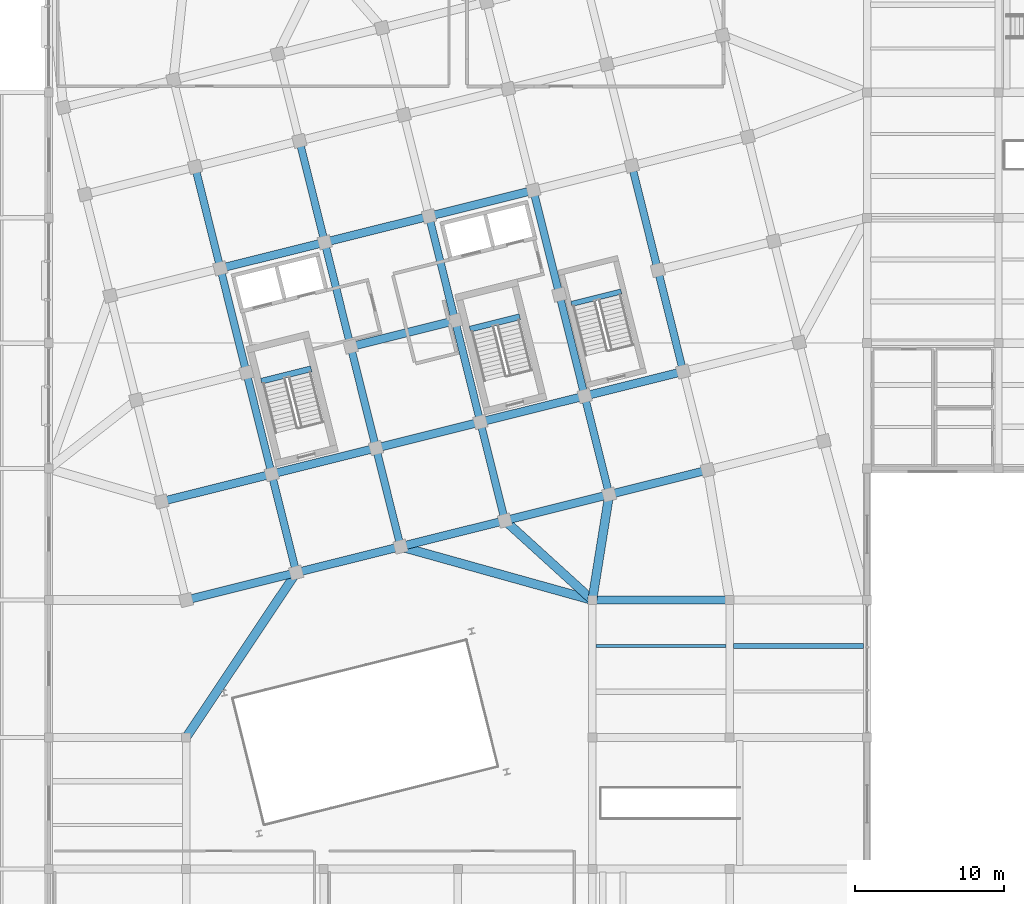
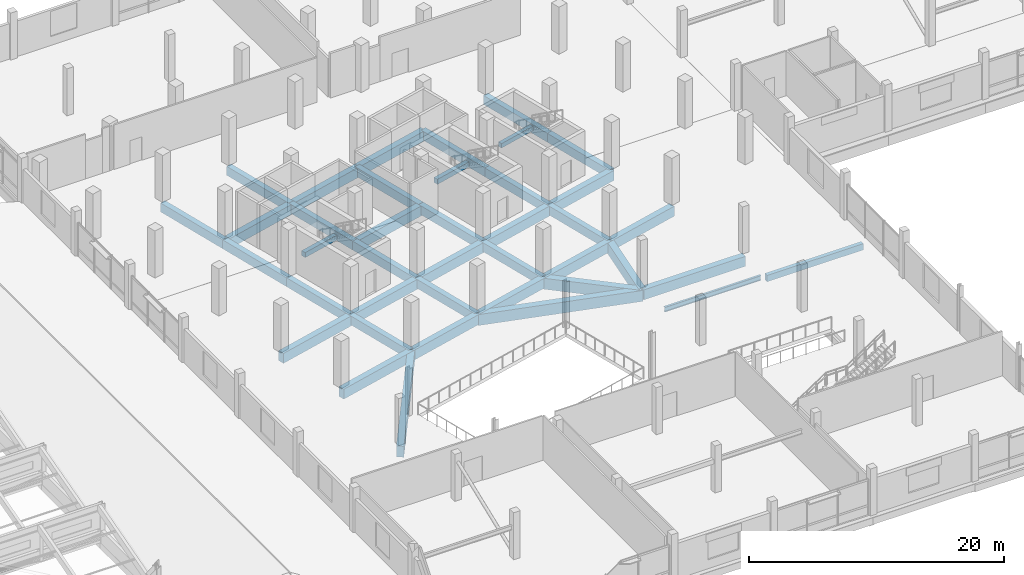
# One storey, part 33 of 77: 40 beams.
"""IFC4 building model written with IfcOpenShell, lengths in metres."""

from ifc_helpers import new_model, si_unit, direction, frame, origin, origin_2d, place, context, subcontext, project, spatial, rectangle, i_section, extrude, material, material_profile, profile_set, type_object, element, save


model = new_model("IFC4")

# Units and contexts
model_context = context("Model", 3, precision=1e-05, world=origin(), true_north=direction((0.0, 1.0)))
body_context = subcontext(model_context, "Body", "Model", "MODEL_VIEW")
ifc_project = project(units=[si_unit("LENGTHUNIT", "METRE"), si_unit("AREAUNIT", "SQUARE_METRE"), si_unit("VOLUMEUNIT", "CUBIC_METRE"), si_unit("PLANEANGLEUNIT", "RADIAN"), si_unit("MASSUNIT", "GRAM", prefix="KILO")], contexts=[model_context])

# Site, building, storey
site_placement = place(None, origin())
site = spatial("IfcSite", under=ifc_project, at=site_placement, CompositionType="ELEMENT")
building_placement = place(site_placement, origin())
building = spatial("IfcBuilding", under=site, at=building_placement, Name="Meriwether Solvik Hall", CompositionType="ELEMENT")
storey_placement = place(building_placement, frame((0.0, 0.0, 9.89990234375)))
storey = spatial("IfcBuildingStorey", under=building, at=storey_placement, Name="L02", CompositionType="ELEMENT", Elevation=9.89990234375)

# Beams
ifc_material_1 = material(Name="Concrete C40/50", Category="concrete")
ifc_material_profile_1 = material_profile(ifc_material_1, rectangle(XDim=0.35009765625, YDim=0.419921875, at=origin_2d()), Name="RCB-350X420")
ifc_profile_set_1 = profile_set([ifc_material_profile_1], Name="Concrete C40/50")
beam_type_1 = type_object("IfcBeamType", Name="BM-LND-RC-350X420", PredefinedType="BEAM", material=ifc_profile_set_1)
beam_1_placement = place(storey_placement, frame((94.39892578125, 61.0302734375, 1.840087890625), z_axis=(0.970292601873, 0.24193442655, 0.0), x_axis=(-0.24193442655, 0.970292601873, 0.0)))
element("IfcBeam", 1, at=beam_1_placement, inside=storey, type_object=beam_type_1, Name="Stair ST-03 Half-Landing Header Beam (L02)", PredefinedType="BEAM", context=body_context, shape_type="SweptSolid", body=[
    extrude(rectangle(XDim=0.35009765625, YDim=0.419921875, at=origin_2d()), origin(), (0.0, 0.0, 1.0), 3.440185546875),
])
ifc_material_2 = material(Name="Concrete C40/50", Category="concrete")
ifc_material_profile_2 = material_profile(ifc_material_2, rectangle(XDim=0.39990234375, YDim=0.47998046875, at=origin_2d()), Name="RCB-400X480")
ifc_profile_set_2 = profile_set([ifc_material_profile_2], Name="Concrete C40/50")
beam_type_2 = type_object("IfcBeamType", Name="BM-LND-RC-400X480", PredefinedType="BEAM", material=ifc_profile_set_2)
beam_2_placement = place(storey_placement, frame((73.634521484375, 55.853271484375, 1.81005859375), z_axis=(0.970292601873, 0.24193442655, 0.0), x_axis=(-0.24193442655, 0.970292601873, 0.0)))
element("IfcBeam", 2, at=beam_2_placement, inside=storey, type_object=beam_type_2, Name="Stair ST-01 Half-Landing Header Beam (L02)", PredefinedType="BEAM", context=body_context, shape_type="SweptSolid", body=[
    extrude(rectangle(XDim=0.39990234375, YDim=0.47998046875, at=origin_2d()), origin(), (0.0, 0.0, 1.0), 3.440185546875),
])
beam_3_placement = place(storey_placement, frame((87.60693359375, 59.3369140625, 1.81005859375), z_axis=(0.970288447449, 0.24195108751, 0.0), x_axis=(-0.24195108751, 0.970288447449, 0.0)))
element("IfcBeam", 3, at=beam_3_placement, inside=storey, type_object=beam_type_2, Name="Stair ST-02 Half-Landing Header Beam (L02)", PredefinedType="BEAM", context=body_context, shape_type="SweptSolid", body=[
    extrude(rectangle(XDim=0.39990234375, YDim=0.47998046875, at=origin_2d()), origin(), (0.0, 0.0, 1.0), 3.43994140625),
])
ifc_material_3 = material(Name="Concrete C40/50", Category="concrete")
ifc_material_profile_3 = material_profile(ifc_material_3, rectangle(XDim=0.35009765625, YDim=0.60009765625, at=origin_2d()), Name="RCB-350X600")
ifc_profile_set_3 = profile_set([ifc_material_profile_3], Name="Concrete C40/50")
beam_type_3 = type_object("IfcBeamType", Name="BM-RC-350X600", PredefinedType="JOIST", material=ifc_profile_set_3)
beam_4_placement = place(storey_placement, frame((105.2451171875, 38.13330078125, -0.75), z_axis=(1.0, 0.0, 0.0), x_axis=(0.0, 1.0, 0.0)))
element("IfcBeam", 4, at=beam_4_placement, inside=storey, type_object=beam_type_3, Name="Secondary Floor Joist 12/D_J2 (L02)", PredefinedType="JOIST", context=body_context, shape_type="SweptSolid", body=[
    extrude(rectangle(XDim=0.35009765625, YDim=0.60009765625, at=origin_2d()), origin(), (0.0, 0.0, 1.0), 8.7099609375),
])
ifc_material_4 = material(Name="Concrete C40/50", Category="concrete")
ifc_material_profile_4 = material_profile(ifc_material_4, rectangle(XDim=0.5, YDim=0.85009765625, at=origin_2d()), Name="RCB-500X850")
ifc_profile_set_4 = profile_set([ifc_material_profile_4], Name="Concrete C40/50")
beam_type_4 = type_object("IfcBeamType", Name="BM-RC-500X850", PredefinedType="BEAM", material=ifc_profile_set_4)
beam_5_placement = place(storey_placement, frame((75.974365234375, 43.03857421875, -0.7548828125), z_axis=(-0.241944251278, 0.970290152106, 0.0), x_axis=(-0.970290152106, -0.241944251278, 0.0)))
element("IfcBeam", 5, at=beam_5_placement, inside=storey, type_object=beam_type_4, Name="Tower Girder T2:TA-TB (L02)", PredefinedType="BEAM", context=body_context, shape_type="SweptSolid", body=[
    extrude(rectangle(XDim=0.5, YDim=0.85009765625, at=origin_2d()), origin(), (0.0, 0.0, 1.0), 6.80029296875),
])
beam_6_placement = place(storey_placement, frame((74.3291015625, 49.63671875, -0.7548828125), z_axis=(-0.241911879182, 0.970298223594, 0.0), x_axis=(-0.970298223594, -0.241911879182, 0.0)))
element("IfcBeam", 6, at=beam_6_placement, inside=storey, type_object=beam_type_4, Name="Tower Girder T2:TB-TC (L02)", PredefinedType="BEAM", context=body_context, shape_type="SweptSolid", body=[
    extrude(rectangle(XDim=0.5, YDim=0.85009765625, at=origin_2d()), origin(), (0.0, 0.0, 1.0), 7.0),
])
beam_7_placement = place(storey_placement, frame((72.6357421875, 56.4287109375, -0.7548828125), z_axis=(-0.241937193493, 0.970291911955, 0.0), x_axis=(-0.970291911955, -0.241937193493, 0.0)))
element("IfcBeam", 7, at=beam_7_placement, inside=storey, type_object=beam_type_4, Name="Tower Girder T2:TC-TD (L02)", PredefinedType="BEAM", context=body_context, shape_type="SweptSolid", body=[
    extrude(rectangle(XDim=0.5, YDim=0.85009765625, at=origin_2d()), origin(), (0.0, 0.0, 1.0), 7.199951171875),
])
beam_8_placement = place(storey_placement, frame((70.893798828125, 63.414794921875, -0.7548828125), z_axis=(-0.241911879182, 0.970298223594, 0.0), x_axis=(-0.970298223594, -0.241911879182, 0.0)))
element("IfcBeam", 8, at=beam_8_placement, inside=storey, type_object=beam_type_4, Name="Tower Girder T2:TD-TE (L02)", PredefinedType="BEAM", context=body_context, shape_type="SweptSolid", body=[
    extrude(rectangle(XDim=0.5, YDim=0.85009765625, at=origin_2d()), origin(), (0.0, 0.0, 1.0), 7.0),
])
beam_9_placement = place(storey_placement, frame((82.96044921875, 44.780517578125, -0.7548828125), z_axis=(-0.241918877831, 0.970296478685, 0.0), x_axis=(-0.970296478685, -0.241918877831, 0.0)))
element("IfcBeam", 9, at=beam_9_placement, inside=storey, type_object=beam_type_4, Name="Tower Girder T3:TA-TB (L02)", PredefinedType="BEAM", context=body_context, shape_type="SweptSolid", body=[
    extrude(rectangle(XDim=0.5, YDim=0.85009765625, at=origin_2d()), origin(), (0.0, 0.0, 1.0), 6.7998046875),
])
beam_10_placement = place(storey_placement, frame((81.3154296875, 51.37841796875, -0.7548828125), z_axis=(-0.241944715397, 0.970290036376, 0.0), x_axis=(-0.970290036376, -0.241944715397, 0.0)))
element("IfcBeam", 10, at=beam_10_placement, inside=storey, type_object=beam_type_4, Name="Tower Girder T3:TB-TC (L02)", PredefinedType="BEAM", context=body_context, shape_type="SweptSolid", body=[
    extrude(rectangle(XDim=0.5, YDim=0.85009765625, at=origin_2d()), origin(), (0.0, 0.0, 1.0), 7.0),
])
beam_11_placement = place(storey_placement, frame((79.621826171875, 58.17041015625, -0.7548828125), z_axis=(-0.241897310542, 0.970301855688, 0.0), x_axis=(-0.970301855688, -0.241897310542, 0.0)))
element("IfcBeam", 11, at=beam_11_placement, inside=storey, type_object=beam_type_4, Name="Tower Girder T3:TC-TD (L02)", PredefinedType="BEAM", context=body_context, shape_type="SweptSolid", body=[
    extrude(rectangle(XDim=0.5, YDim=0.85009765625, at=origin_2d()), origin(), (0.0, 0.0, 1.0), 7.2001953125),
])
beam_12_placement = place(storey_placement, frame((77.880126953125, 65.15673828125, -0.7548828125), z_axis=(-0.241944715397, 0.970290036376, 0.0), x_axis=(-0.970290036376, -0.241944715397, 0.0)))
element("IfcBeam", 12, at=beam_12_placement, inside=storey, type_object=beam_type_4, Name="Tower Girder T3:TD-TE (L02)", PredefinedType="BEAM", context=body_context, shape_type="SweptSolid", body=[
    extrude(rectangle(XDim=0.5, YDim=0.85009765625, at=origin_2d()), origin(), (0.0, 0.0, 1.0), 7.0),
])
beam_13_placement = place(storey_placement, frame((89.946533203125, 46.522216796875, -0.7548828125), z_axis=(-0.24191045034, 0.970298579828, 0.0), x_axis=(-0.970298579828, -0.24191045034, 0.0)))
element("IfcBeam", 13, at=beam_13_placement, inside=storey, type_object=beam_type_4, Name="Tower Girder T4:TA-TB (L02)", PredefinedType="BEAM", context=body_context, shape_type="SweptSolid", body=[
    extrude(rectangle(XDim=0.5, YDim=0.85009765625, at=origin_2d()), origin(), (0.0, 0.0, 1.0), 6.800048828125),
])
beam_14_placement = place(storey_placement, frame((88.301513671875, 53.120361328125, -0.7548828125), z_axis=(-0.241944715397, 0.970290036376, 0.0), x_axis=(-0.970290036376, -0.241944715397, 0.0)))
element("IfcBeam", 14, at=beam_14_placement, inside=storey, type_object=beam_type_4, Name="Tower Girder T4:TB-TC (L02)", PredefinedType="BEAM", context=body_context, shape_type="SweptSolid", body=[
    extrude(rectangle(XDim=0.5, YDim=0.85009765625, at=origin_2d()), origin(), (0.0, 0.0, 1.0), 7.0),
])
beam_15_placement = place(storey_placement, frame((86.60791015625, 59.912353515625, -0.7548828125), z_axis=(-0.241905269381, 0.970299871507, 0.0), x_axis=(-0.970299871507, -0.241905269381, 0.0)))
element("IfcBeam", 15, at=beam_15_placement, inside=storey, type_object=beam_type_4, Name="Tower Girder T4:TC-TD (L02)", PredefinedType="BEAM", context=body_context, shape_type="SweptSolid", body=[
    extrude(rectangle(XDim=0.5, YDim=0.85009765625, at=origin_2d()), origin(), (0.0, 0.0, 1.0), 7.199951171875),
])
beam_16_placement = place(storey_placement, frame((96.9326171875, 48.26416015625, -0.7548828125), z_axis=(-0.241918877831, 0.970296478685, 0.0), x_axis=(-0.970296478685, -0.241918877831, 0.0)))
element("IfcBeam", 16, at=beam_16_placement, inside=storey, type_object=beam_type_4, Name="Tower Girder T5:TA-TB (L02)", PredefinedType="BEAM", context=body_context, shape_type="SweptSolid", body=[
    extrude(rectangle(XDim=0.5, YDim=0.85009765625, at=origin_2d()), origin(), (0.0, 0.0, 1.0), 6.7998046875),
])
beam_17_placement = place(storey_placement, frame((95.28759765625, 54.862060546875, -0.7548828125), z_axis=(-0.241936527961, 0.970292077901, 0.0), x_axis=(-0.970292077901, -0.241936527961, 0.0)))
element("IfcBeam", 17, at=beam_17_placement, inside=storey, type_object=beam_type_4, Name="Tower Girder T5:TB-TC (L02)", PredefinedType="BEAM", context=body_context, shape_type="SweptSolid", body=[
    extrude(rectangle(XDim=0.5, YDim=0.85009765625, at=origin_2d()), origin(), (0.0, 0.0, 1.0), 7.000244140625),
])
beam_18_placement = place(storey_placement, frame((93.593994140625, 61.654296875, -0.7548828125), z_axis=(-0.241905269381, 0.970299871507, 0.0), x_axis=(-0.970299871507, -0.241905269381, 0.0)))
element("IfcBeam", 18, at=beam_18_placement, inside=storey, type_object=beam_type_4, Name="Tower Girder T5:TC-TD (L02)", PredefinedType="BEAM", context=body_context, shape_type="SweptSolid", body=[
    extrude(rectangle(XDim=0.5, YDim=0.85009765625, at=origin_2d()), origin(), (0.0, 0.0, 1.0), 7.199951171875),
])
beam_19_placement = place(storey_placement, frame((101.885498046875, 56.507080078125, -0.7548828125), z_axis=(-0.241903692719, 0.970300264582, 0.0), x_axis=(-0.970300264582, -0.241903692719, 0.0)))
element("IfcBeam", 19, at=beam_19_placement, inside=storey, type_object=beam_type_4, Name="Tower Girder T6:TB-TC (L02)", PredefinedType="BEAM", context=body_context, shape_type="SweptSolid", body=[
    extrude(rectangle(XDim=0.5, YDim=0.85009765625, at=origin_2d()), origin(), (0.0, 0.0, 1.0), 7.000244140625),
])
beam_20_placement = place(storey_placement, frame((100.192138671875, 63.29931640625, -0.7548828125), z_axis=(-0.241937193493, 0.970291911955, 0.0), x_axis=(-0.970291911955, -0.241937193493, 0.0)))
element("IfcBeam", 20, at=beam_20_placement, inside=storey, type_object=beam_type_4, Name="Tower Girder T6:TC-TD (L02)", PredefinedType="BEAM", context=body_context, shape_type="SweptSolid", body=[
    extrude(rectangle(XDim=0.5, YDim=0.85009765625, at=origin_2d()), origin(), (0.0, 0.0, 1.0), 7.199951171875),
])
ifc_material_5 = material(Name="Concrete C40/50", Category="concrete")
ifc_material_profile_5 = material_profile(ifc_material_5, rectangle(XDim=0.550048828125, YDim=0.949951171875, at=origin_2d()), Name="RCB-550X950")
ifc_profile_set_5 = profile_set([ifc_material_profile_5], Name="Concrete C40/50")
beam_type_5 = type_object("IfcBeamType", Name="BM-RC-550X950", PredefinedType="BEAM", material=ifc_profile_set_5)
beam_21_placement = place(storey_placement, frame((95.800048828125, 41.199951171875, -0.804931640625), z_axis=(1.0, 0.0, 0.0), x_axis=(0.0, 1.0, 0.0)))
element("IfcBeam", 21, at=beam_21_placement, inside=storey, type_object=beam_type_5, Name="Podium Girder E:11-12 (L02)", PredefinedType="BEAM", context=body_context, shape_type="SweptSolid", body=[
    extrude(rectangle(XDim=0.550048828125, YDim=0.949951171875, at=origin_2d()), origin(), (0.0, 0.0, 1.0), 9.199951171875),
])
beam_22_placement = place(storey_placement, frame((68.60009765625, 41.199951171875, -0.804931640625), z_axis=(0.970295366785, 0.241923337436, 0.0), x_axis=(-0.241923337436, 0.970295366785, 0.0)))
element("IfcBeam", 22, at=beam_22_placement, inside=storey, type_object=beam_type_5, Name="Tower Girder TA:T1-T2 (L02)", PredefinedType="BEAM", context=body_context, shape_type="SweptSolid", body=[
    extrude(rectangle(XDim=0.550048828125, YDim=0.949951171875, at=origin_2d()), origin(), (0.0, 0.0, 1.0), 7.60009765625),
])
for number, where, z_axis, x_axis, name in (
    (23, (75.974365234375, 43.03857421875, -0.804931640625), (0.970291911955, 0.241937193493, 0.0), (-0.241937193493, 0.970291911955, 0.0), "Tower Girder TA:T2-T3 (L02)"),
    (24, (82.96044921875, 44.780517578125, -0.804931640625), (0.970299871507, 0.241905269381, 0.0), (-0.241905269381, 0.970299871507, 0.0), "Tower Girder TA:T3-T4 (L02)"),
    (25, (89.946533203125, 46.522216796875, -0.804931640625), (0.970291911955, 0.241937193493, 0.0), (-0.241937193493, 0.970291911955, 0.0), "Tower Girder TA:T4-T5 (L02)"),
):
    element("IfcBeam", number, at=place(storey_placement, frame(where, z_axis=z_axis, x_axis=x_axis)), inside=storey, type_object=beam_type_5, Name=name, PredefinedType="BEAM", context=body_context, shape_type="SweptSolid", body=[
        extrude(rectangle(XDim=0.550048828125, YDim=0.949951171875, at=origin_2d()), origin(), (0.0, 0.0, 1.0), 7.199951171875),
    ])
beam_23_placement = place(storey_placement, frame((96.9326171875, 48.26416015625, -0.804931640625), z_axis=(0.970298579828, 0.24191045034, 0.0), x_axis=(-0.24191045034, 0.970298579828, 0.0)))
element("IfcBeam", 26, at=beam_23_placement, inside=storey, type_object=beam_type_5, Name="Tower Girder TA:T5-T6 (L02)", PredefinedType="BEAM", context=body_context, shape_type="SweptSolid", body=[
    extrude(rectangle(XDim=0.550048828125, YDim=0.949951171875, at=origin_2d()), origin(), (0.0, 0.0, 1.0), 6.800048828125),
])
beam_24_placement = place(storey_placement, frame((66.954833984375, 47.798095703125, -0.804931640625), z_axis=(0.970295366785, 0.241923337436, 0.0), x_axis=(-0.241923337436, 0.970295366785, 0.0)))
element("IfcBeam", 27, at=beam_24_placement, inside=storey, type_object=beam_type_5, Name="Tower Girder TB:T1-T2 (L02)", PredefinedType="BEAM", context=body_context, shape_type="SweptSolid", body=[
    extrude(rectangle(XDim=0.550048828125, YDim=0.949951171875, at=origin_2d()), origin(), (0.0, 0.0, 1.0), 7.60009765625),
])
beam_25_placement = place(storey_placement, frame((74.3291015625, 49.63671875, -0.804931640625), z_axis=(0.970301855688, 0.241897310542, 0.0), x_axis=(-0.241897310542, 0.970301855688, 0.0)))
element("IfcBeam", 28, at=beam_25_placement, inside=storey, type_object=beam_type_5, Name="Tower Girder TB:T2-T3 (L02)", PredefinedType="BEAM", context=body_context, shape_type="SweptSolid", body=[
    extrude(rectangle(XDim=0.550048828125, YDim=0.949951171875, at=origin_2d()), origin(), (0.0, 0.0, 1.0), 7.2001953125),
])
for number, where, z_axis, x_axis, name in (
    (29, (81.3154296875, 51.37841796875, -0.804931640625), (0.970291911955, 0.241937193493, 0.0), (-0.241937193493, 0.970291911955, 0.0), "Tower Girder TB:T3-T4 (L02)"),
    (30, (88.301513671875, 53.120361328125, -0.804931640625), (0.970299871507, 0.241905269381, 0.0), (-0.241905269381, 0.970299871507, 0.0), "Tower Girder TB:T4-T5 (L02)"),
):
    element("IfcBeam", number, at=place(storey_placement, frame(where, z_axis=z_axis, x_axis=x_axis)), inside=storey, type_object=beam_type_5, Name=name, PredefinedType="BEAM", context=body_context, shape_type="SweptSolid", body=[
        extrude(rectangle(XDim=0.550048828125, YDim=0.949951171875, at=origin_2d()), origin(), (0.0, 0.0, 1.0), 7.199951171875),
    ])
beam_26_placement = place(storey_placement, frame((95.28759765625, 54.862060546875, -0.804931640625), z_axis=(0.970296478685, 0.241918877831, 0.0), x_axis=(-0.241918877831, 0.970296478685, 0.0)))
element("IfcBeam", 31, at=beam_26_placement, inside=storey, type_object=beam_type_5, Name="Tower Girder TB:T5-T6 (L02)", PredefinedType="BEAM", context=body_context, shape_type="SweptSolid", body=[
    extrude(rectangle(XDim=0.550048828125, YDim=0.949951171875, at=origin_2d()), origin(), (0.0, 0.0, 1.0), 6.7998046875),
])
beam_27_placement = place(storey_placement, frame((79.621826171875, 58.17041015625, -0.804931640625), z_axis=(0.970291911955, 0.241937193493, 0.0), x_axis=(-0.241937193493, 0.970291911955, 0.0)))
element("IfcBeam", 32, at=beam_27_placement, inside=storey, type_object=beam_type_5, Name="Tower Girder TC:T3-T4 (L02)", PredefinedType="BEAM", context=body_context, shape_type="SweptSolid", body=[
    extrude(rectangle(XDim=0.550048828125, YDim=0.949951171875, at=origin_2d()), origin(), (0.0, 0.0, 1.0), 7.199951171875),
])
beam_28_placement = place(storey_placement, frame((70.893798828125, 63.414794921875, -0.804931640625), z_axis=(0.970293896644, 0.241929233735, 0.0), x_axis=(-0.241929233735, 0.970293896644, 0.0)))
element("IfcBeam", 33, at=beam_28_placement, inside=storey, type_object=beam_type_5, Name="Tower Girder TD:T2-T3 (L02)", PredefinedType="BEAM", context=body_context, shape_type="SweptSolid", body=[
    extrude(rectangle(XDim=0.550048828125, YDim=0.949951171875, at=origin_2d()), origin(), (0.0, 0.0, 1.0), 7.2001953125),
])
for number, where, z_axis, x_axis, name in (
    (34, (77.880126953125, 65.15673828125, -0.804931640625), (0.970299871507, 0.241905269381, 0.0), (-0.241905269381, 0.970299871507, 0.0), "Tower Girder TD:T3-T4 (L02)"),
    (35, (84.8662109375, 66.8984375, -0.804931640625), (0.970291911955, 0.241937193493, 0.0), (-0.241937193493, 0.970291911955, 0.0), "Tower Girder TD:T4-T5 (L02)"),
):
    element("IfcBeam", number, at=place(storey_placement, frame(where, z_axis=z_axis, x_axis=x_axis)), inside=storey, type_object=beam_type_5, Name=name, PredefinedType="BEAM", context=body_context, shape_type="SweptSolid", body=[
        extrude(rectangle(XDim=0.550048828125, YDim=0.949951171875, at=origin_2d()), origin(), (0.0, 0.0, 1.0), 7.199951171875),
    ])
ifc_material_6 = material(Name="Concrete C40/50", Category="concrete")
ifc_material_profile_6 = material_profile(ifc_material_6, rectangle(XDim=0.60009765625, YDim=1.050048828125, at=origin_2d()), Name="RCB-600X1050")
ifc_profile_set_6 = profile_set([ifc_material_profile_6], Name="Concrete C40/50")
beam_type_6 = type_object("IfcBeamType", Name="BM-RC-600X1050", PredefinedType="BEAM", material=ifc_profile_set_6)
beam_29_placement = place(storey_placement, frame((75.974365234375, 43.03857421875, -0.85498046875), z_axis=(-0.555493576882, -0.831520827185, 0.0), x_axis=(0.831520827185, -0.555493576882, 0.0)))
element("IfcBeam", 36, at=beam_29_placement, inside=storey, type_object=beam_type_6, Name="Diaphragm Collector Girder T2/TA-8/D (L02)", PredefinedType="BEAM", context=body_context, shape_type="SweptSolid", body=[
    extrude(rectangle(XDim=0.60009765625, YDim=1.050048828125, at=origin_2d()), origin(), (0.0, 0.0, 1.0), 13.275146484375),
])
beam_30_placement = place(storey_placement, frame((82.96044921875, 44.780517578125, -0.85498046875), z_axis=(0.963246352106, -0.268619554676, 0.0), x_axis=(0.268619554676, 0.963246352106, 0.0)))
element("IfcBeam", 37, at=beam_30_placement, inside=storey, type_object=beam_type_6, Name="Diaphragm Collector Girder T3/TA-11/E (L02)", PredefinedType="BEAM", context=body_context, shape_type="SweptSolid", body=[
    extrude(rectangle(XDim=0.60009765625, YDim=1.050048828125, at=origin_2d()), origin(), (0.0, 0.0, 1.0), 13.32958984375),
])
beam_31_placement = place(storey_placement, frame((89.946533203125, 46.522216796875, -0.85498046875), z_axis=(0.739884216785, -0.672734231144, 0.0), x_axis=(0.672734231144, 0.739884216785, 0.0)))
element("IfcBeam", 38, at=beam_31_placement, inside=storey, type_object=beam_type_6, Name="Diaphragm Collector Girder T4/TA-11/E (L02)", PredefinedType="BEAM", context=body_context, shape_type="SweptSolid", body=[
    extrude(rectangle(XDim=0.60009765625, YDim=1.050048828125, at=origin_2d()), origin(), (0.0, 0.0, 1.0), 7.911376953125),
])
beam_32_placement = place(storey_placement, frame((96.9326171875, 48.26416015625, -0.85498046875), z_axis=(-0.158303256143, -0.98739054031, 0.0), x_axis=(0.98739054031, -0.158303256143, 0.0)))
element("IfcBeam", 39, at=beam_32_placement, inside=storey, type_object=beam_type_6, Name="Diaphragm Collector Girder T5/TA-11/E (L02)", PredefinedType="BEAM", context=body_context, shape_type="SweptSolid", body=[
    extrude(rectangle(XDim=0.60009765625, YDim=1.050048828125, at=origin_2d()), origin(), (0.0, 0.0, 1.0), 7.154541015625),
])
ifc_material_7 = material(Name="Steel A992 Grade 50", Category="steel")
ifc_material_profile_7 = material_profile(ifc_material_7, i_section(OverallWidth=0.19091796875, OverallDepth=0.45703125, WebThickness=0.009033203125, FlangeThickness=0.014404296875, at=origin_2d()), Name="W18X50")
ifc_profile_set_7 = profile_set([ifc_material_profile_7], Name="Steel A992 Grade 50")
beam_type_7 = type_object("IfcBeamType", Name="BM-STL-W18X50", PredefinedType="JOIST", material=ifc_profile_set_7)
beam_33_placement = place(storey_placement, frame((96.044921875, 38.13330078125, -0.558349609375), z_axis=(1.0, 0.0, 0.0), x_axis=(0.0, 1.0, 0.0)))
element("IfcBeam", 40, at=beam_33_placement, inside=storey, type_object=beam_type_7, Name="Secondary Floor Joist 11/D_J2 (L02)", PredefinedType="JOIST", context=body_context, shape_type="SweptSolid", body=[
    extrude(i_section(OverallWidth=0.19091796875, OverallDepth=0.45703125, WebThickness=0.009033203125, FlangeThickness=0.014404296875, at=origin_2d()), origin(), (0.0, 0.0, 1.0), 8.7099609375),
])

save(model, "model.ifc")
